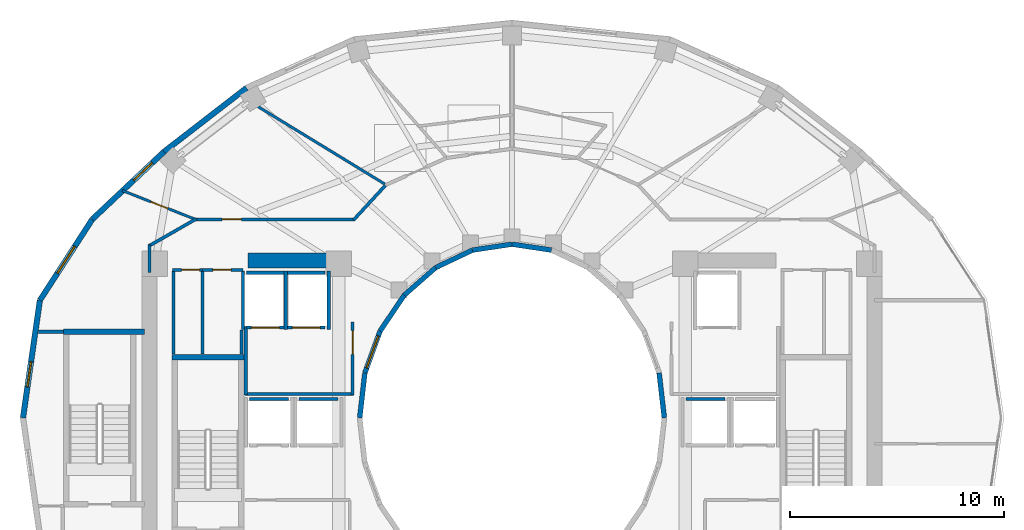
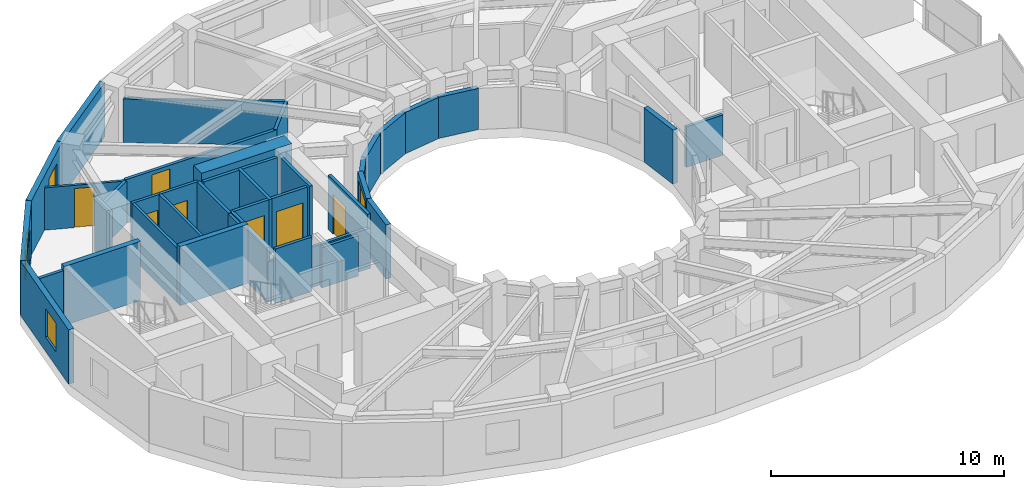
# One storey, part 7 of 13: 40 walls, 7 doors, 4 windows, 11 openings.
"""IFC4 building model written with IfcOpenShell, lengths in metres."""

from ifc_helpers import new_model, si_unit, direction, frame, frame_2d, origin, place, context, subcontext, project, spatial, rectangle, extrude, material, layer, layer_set, type_object, element, fill, save


model = new_model("IFC4")

# Units and contexts
model_context = context("Model", 3, precision=1e-05, world=origin(), true_north=direction((0.0, 1.0)))
body_context = subcontext(model_context, "Body", "Model", "MODEL_VIEW")
ifc_project = project(units=[si_unit("LENGTHUNIT", "METRE"), si_unit("AREAUNIT", "SQUARE_METRE"), si_unit("VOLUMEUNIT", "CUBIC_METRE"), si_unit("PLANEANGLEUNIT", "RADIAN"), si_unit("MASSUNIT", "GRAM", prefix="KILO")], contexts=[model_context])

# Site, building, storey
site_placement = place(None, origin())
site = spatial("IfcSite", under=ifc_project, at=site_placement, CompositionType="ELEMENT")
building_placement = place(site_placement, origin())
building = spatial("IfcBuilding", under=site, at=building_placement, Name="Solvane Sanctuary Tower", CompositionType="ELEMENT")
storey_placement = place(building_placement, frame((0.0, 0.0, 152.89990234375)))
storey = spatial("IfcBuildingStorey", under=building, at=storey_placement, Name="L46", CompositionType="ELEMENT", Elevation=152.89990234375)

# Walls
ifc_material_1 = material(Name="Concrete C60/75", Category="concrete")
ifc_layer_1 = layer(ifc_material_1, 0.699951171875, Name="Concrete C60/75")
ifc_layer_set_1 = layer_set([ifc_layer_1], Name="Concrete C60/75")
wall_type_1 = type_object("IfcWallType", Name="Wall W-CORE-700", PredefinedType="SHEAR", material=ifc_layer_set_1)
wall_1_placement = place(storey_placement, frame((19.64990234375, 30.35009765625, 0.0), z_axis=(0.0, 0.0, 1.0), x_axis=(1.0, 0.0, 0.0)))
element("IfcWall", 1, at=wall_1_placement, inside=storey, type_object=wall_type_1, Name="L46 Core Shear Wall WC-N", PredefinedType="SHEAR", context=body_context, shape_type="SweptSolid", body=[
    extrude(rectangle(XDim=4.5, YDim=0.699951171875, at=frame_2d((2.25, 0.0))), origin(), (0.0, 0.0, 1.0), 3.10009765625),
])
ifc_material_2 = material(Name="Acoustic Gypsum Partition Board")
ifc_layer_2 = layer(ifc_material_2, 0.14990234375, Name="Acoustic Gypsum Partition Board")
ifc_layer_set_2 = layer_set([ifc_layer_2], Name="Acoustic Gypsum Partition Board")
wall_type_2 = type_object("IfcWallType", Name="Wall W-CORR-150", PredefinedType="PARTITIONING", material=ifc_layer_set_2)
wall_2_placement = place(storey_placement, frame((19.52001953125, 24.1201171875, 0.0), z_axis=(0.0, 0.0, 1.0), x_axis=(1.0, 0.0, 0.0)))
element("IfcWall", 2, at=wall_2_placement, inside=storey, type_object=wall_type_2, Name="L46 West Firefighting Lobby South Wall", PredefinedType="PARTITIONING", context=body_context, shape_type="SweptSolid", body=[
    extrude(rectangle(XDim=5.080078125, YDim=0.14990234375, at=frame_2d((2.5400390625, 0.0))), origin(), (0.0, 0.0, 1.0), 2.1201171875),
])
wall_3_placement = place(storey_placement, frame((19.550048828125, 24.080078125, 0.0), z_axis=(0.0, 0.0, 1.0), x_axis=(0.0, 1.0, 0.0)))
element("IfcWall", 3, at=wall_3_placement, inside=storey, type_object=wall_type_2, Name="L46 West Firefighting Lobby West Wall", PredefinedType="PARTITIONING", context=body_context, shape_type="SweptSolid", body=[
    extrude(rectangle(XDim=3.199951171875, YDim=0.14990234375, at=frame_2d((1.60009765625, 0.0))), origin(), (0.0, 0.0, 1.0), 2.85498046875),
])

# Wall, opening, door
wall_4_placement = place(storey_placement, frame((24.550048828125, 24.080078125, 0.0), z_axis=(0.0, 0.0, 1.0), x_axis=(0.0, 1.0, 0.0)))
wall_4 = element("IfcWall", 4, at=wall_4_placement, inside=storey, type_object=wall_type_2, Name="L46 West Firefighting Lobby East Wall", PredefinedType="PARTITIONING", context=body_context, shape_type="SweptSolid", body=[
    extrude(rectangle(XDim=3.39990234375, YDim=0.14990234375, at=frame_2d((1.699951171875, 0.0))), origin(), (0.0, 0.0, 1.0), 2.85498046875),
])
opening_1_placement = place(wall_4_placement, frame((1.893798828125, 0.0, 0.0)))
opening_1 = element("IfcOpeningElement", 5, at=opening_1_placement, cuts=wall_4, Name="Opening D-L46-04", PredefinedType="OPENING", context=body_context, shape_type="SweptSolid", body=[
    extrude(rectangle(XDim=1.10009765625, YDim=2.10009765625, at=frame_2d((0.550048828125, 1.050048828125))), frame((0.0, 0.0849609375, 0.0), z_axis=(0.0, -1.0, 0.0), x_axis=(1.0, 0.0, 0.0)), (0.0, 0.0, 1.0), 0.169921875),
])
ifc_material_3 = material(Name="Architectural Stainless Steel 316", Category="steel")
door_type_1 = type_object("IfcDoorType", Name="Door D-FFL", OperationType="NOTDEFINED", PredefinedType="DOOR", material=ifc_material_3)
door_1_placement = place(opening_1_placement, origin())
door_1 = element("IfcDoor", 6, at=door_1_placement, inside=storey, type_object=door_type_1, Name="L46 West Firefighting Lobby Fire Door", OperationType="SINGLE_SWING_RIGHT", OverallHeight=2.10009765625, OverallWidth=1.10009765625, PredefinedType="DOOR", context=body_context, shape_type="SweptSolid", body=[
    extrude(rectangle(XDim=1.10009765625, YDim=2.10009765625, at=frame_2d((0.550048828125, 1.050048828125))), frame((0.0, 0.02490234375, 0.0), z_axis=(0.0, -1.0, 0.0), x_axis=(1.0, 0.0, 0.0)), (0.0, 0.0, 1.0), 0.050048828125),
])
fill(opening_1, door_1)

# Walls
wall_5_placement = place(storey_placement, frame((9.869873046875, 27.030029296875, 0.0), z_axis=(0.0, 0.0, 1.0), x_axis=(1.0, 0.0, 0.0)))
element("IfcWall", 7, at=wall_5_placement, inside=storey, type_object=wall_type_2, Name="L46 NW Corner Closer 1", PredefinedType="PARTITIONING", context=body_context, shape_type="SweptSolid", body=[
    extrude(rectangle(XDim=1.170166015625, YDim=0.14990234375, at=frame_2d((0.5849609375, 0.0))), origin(), (0.0, 0.0, 1.0), 2.85498046875),
])
wall_6_placement = place(storey_placement, frame((15.050048828125, 29.800048828125, 0.0), z_axis=(0.0, 0.0, 1.0), x_axis=(0.0, 1.0, 0.0)))
element("IfcWall", 8, at=wall_6_placement, inside=storey, type_object=wall_type_2, Name="L46 NW Corner Closer 2", PredefinedType="PARTITIONING", context=body_context, shape_type="SweptSolid", body=[
    extrude(rectangle(XDim=1.2900390625, YDim=0.14990234375, at=frame_2d((0.64501953125, 0.0))), origin(), (0.0, 0.0, 1.0), 2.85498046875),
])
wall_7_placement = place(storey_placement, frame((26.07177734375, 33.855712890625, 0.0), z_axis=(0.0, 0.0, 1.0), x_axis=(-0.677579737957, -0.735449317567, 0.0)))
element("IfcWall", 9, at=wall_7_placement, inside=storey, type_object=wall_type_2, Name="L46 NW Corner Throat Wall", PredefinedType="PARTITIONING", context=body_context, shape_type="SweptSolid", body=[
    extrude(rectangle(XDim=2.172607421875, YDim=0.14990234375, at=frame_2d((1.08642578125, 0.0))), origin(), (0.0, 0.0, 1.0), 2.299072265625),
])

# Wall, opening, door
wall_8_placement = place(storey_placement, frame((17.14990234375, 32.280029296875, 0.0), z_axis=(0.0, 0.0, 1.0), x_axis=(1.0, 0.0, 0.0)))
wall_8 = element("IfcWall", 10, at=wall_8_placement, inside=storey, type_object=wall_type_2, Name="L46 NW Corner Corridor Wall", PredefinedType="PARTITIONING", context=body_context, shape_type="SweptSolid", body=[
    extrude(rectangle(XDim=7.52001953125, YDim=0.14990234375, at=frame_2d((3.760009765625, 0.0))), origin(), (0.0, 0.0, 1.0), 2.299072265625),
])
opening_2_placement = place(wall_8_placement, frame((1.300048828125, 0.0, 0.0)))
opening_2 = element("IfcOpeningElement", 11, at=opening_2_placement, cuts=wall_8, Name="Opening D-L46-17", PredefinedType="OPENING", context=body_context, shape_type="SweptSolid", body=[
    extrude(rectangle(XDim=0.89990234375, YDim=2.10009765625, at=frame_2d((0.449951171875, 1.050048828125))), frame((0.0, 0.0849609375, 0.0), z_axis=(0.0, -1.0, 0.0), x_axis=(1.0, 0.0, 0.0)), (0.0, 0.0, 1.0), 0.169921875),
])
ifc_material_4 = material(Name="Engineered Tropical Hardwood", Category="wood")
door_type_2 = type_object("IfcDoorType", Name="Door D-WET-900", OperationType="NOTDEFINED", PredefinedType="DOOR", material=ifc_material_4)
door_2_placement = place(opening_2_placement, origin())
door_2 = element("IfcDoor", 12, at=door_2_placement, inside=storey, type_object=door_type_2, Name="L46 NW Corner Salon Door", OperationType="SINGLE_SWING_LEFT", OverallHeight=2.10009765625, OverallWidth=0.89990234375, PredefinedType="DOOR", context=body_context, shape_type="SweptSolid", body=[
    extrude(rectangle(XDim=0.89990234375, YDim=2.10009765625, at=frame_2d((0.449951171875, 1.050048828125))), frame((0.0, 0.02490234375, 0.0), z_axis=(0.0, -1.0, 0.0), x_axis=(1.0, 0.0, 0.0)), (0.0, 0.0, 1.0), 0.050048828125),
])
fill(opening_2, door_2)

# Walls
wall_9_placement = place(storey_placement, frame((17.243408203125, 32.3046875, 0.0), z_axis=(0.0, 0.0, 1.0), x_axis=(-0.867991349648, -0.496579315857, 0.0)))
element("IfcWall", 13, at=wall_9_placement, inside=storey, type_object=wall_type_2, Name="L46 NW Corner Wing Wall", PredefinedType="PARTITIONING", context=body_context, shape_type="SweptSolid", body=[
    extrude(rectangle(XDim=2.56689453125, YDim=0.14990234375, at=frame_2d((1.283447265625, 0.0))), origin(), (0.0, 0.0, 1.0), 2.22021484375),
])
ifc_material_5 = material(Name="Precast concrete C40/50", Category="concrete")
ifc_layer_3 = layer(ifc_material_5, 0.260009765625, Name="Precast concrete C40/50")
ifc_layer_set_3 = layer_set([ifc_layer_3], Name="Precast concrete C40/50")
wall_type_3 = type_object("IfcWallType", Name="Wall W-EXT-250", PredefinedType="STANDARD", material=ifc_layer_set_3)
wall_10_placement = place(storey_placement, frame((19.5869140625, 38.41943359375, 0.0), z_axis=(0.0, 0.0, 1.0), x_axis=(-0.791460185804, -0.611220724687, 0.0)))
element("IfcWall", 14, at=wall_10_placement, inside=storey, type_object=wall_type_3, Name="L46 Ceramic-Printed Facade Wall 08", PredefinedType="STANDARD", context=body_context, shape_type="SweptSolid", body=[
    extrude(rectangle(XDim=4.872314453125, YDim=0.260009765625, at=frame_2d((2.43603515625, 0.0))), origin(), (0.0, 0.0, 1.0), 2.85009765625),
])

# Wall, opening, window
wall_11_placement = place(storey_placement, frame((15.730712890625, 35.44140625, 0.0), z_axis=(0.0, 0.0, 1.0), x_axis=(-0.727667301037, -0.68593024354, 0.0)))
wall_11 = element("IfcWall", 15, at=wall_11_placement, inside=storey, type_object=wall_type_3, Name="L46 Ceramic-Printed Facade Wall 09", PredefinedType="STANDARD", context=body_context, shape_type="SweptSolid", body=[
    extrude(rectangle(XDim=4.603515625, YDim=0.260009765625, at=frame_2d((2.3017578125, 0.0))), origin(), (0.0, 0.0, 1.0), 2.85009765625),
])
opening_3_placement = place(wall_11_placement, frame((0.75146484375, 0.0, 0.75)))
opening_3 = element("IfcOpeningElement", 16, at=opening_3_placement, cuts=wall_11, Name="Opening WN-OPER-1200", PredefinedType="OPENING", context=body_context, shape_type="SweptSolid", body=[
    extrude(rectangle(XDim=1.199951171875, YDim=1.5, at=frame_2d((0.60009765625, 0.75))), frame((0.0, 0.139892578125, 0.0), z_axis=(0.0, -1.0, 0.0), x_axis=(1.0, 0.0, 0.0)), (0.0, 0.0, 1.0), 0.280029296875),
])
ifc_material_6 = material(Name="Dark Ceramic-Fritted Low-E Glass", Category="glass")
window_type_1 = type_object("IfcWindowType", Name="Window WN-OPER-1200", PartitioningType="SINGLE_PANEL", PredefinedType="WINDOW", material=ifc_material_6)
window_1_placement = place(opening_3_placement, origin())
window_1 = element("IfcWindow", 17, at=window_1_placement, inside=storey, type_object=window_type_1, Name="L46 Operable Facade Window 09", OverallHeight=1.5, OverallWidth=1.199951171875, PartitioningType="SINGLE_PANEL", PredefinedType="WINDOW", context=body_context, shape_type="SweptSolid", body=[
    extrude(rectangle(XDim=1.199951171875, YDim=1.5, at=frame_2d((0.60009765625, 0.75))), frame((0.0, 0.030029296875, 0.0), z_axis=(0.0, -1.0, 0.0), x_axis=(1.0, 0.0, 0.0)), (0.0, 0.0, 1.0), 0.06005859375),
])
fill(opening_3, window_1)

wall_12_placement = place(storey_placement, frame((12.380859375, 32.28369140625, 0.0), z_axis=(0.0, 0.0, 1.0), x_axis=(-0.543358984534, -0.839500454989, 0.0)))
wall_12 = element("IfcWall", 18, at=wall_12_placement, inside=storey, type_object=wall_type_3, Name="L46 Ceramic-Printed Facade Wall 10", PredefinedType="STANDARD", context=body_context, shape_type="SweptSolid", body=[
    extrude(rectangle(XDim=4.51123046875, YDim=0.260009765625, at=frame_2d((2.255615234375, 0.0))), origin(), (0.0, 0.0, 1.0), 2.85009765625),
])
opening_4_placement = place(wall_12_placement, frame((1.505615234375, 0.0, 0.75)))
opening_4 = element("IfcOpeningElement", 19, at=opening_4_placement, cuts=wall_12, Name="Opening WN-OPER-1500", PredefinedType="OPENING", context=body_context, shape_type="SweptSolid", body=[
    extrude(rectangle(XDim=1.5, YDim=1.60009765625, at=frame_2d((0.75, 0.800048828125))), frame((0.0, 0.139892578125, 0.0), z_axis=(0.0, -1.0, 0.0), x_axis=(1.0, 0.0, 0.0)), (0.0, 0.0, 1.0), 0.280029296875),
])
window_type_2 = type_object("IfcWindowType", Name="Window WN-OPER-1500", PartitioningType="SINGLE_PANEL", PredefinedType="WINDOW", material=ifc_material_6)
window_2_placement = place(opening_4_placement, origin())
window_2 = element("IfcWindow", 20, at=window_2_placement, inside=storey, type_object=window_type_2, Name="L46 Operable Facade Window 10", OverallHeight=1.60009765625, OverallWidth=1.5, PartitioningType="SINGLE_PANEL", PredefinedType="WINDOW", context=body_context, shape_type="SweptSolid", body=[
    extrude(rectangle(XDim=1.5, YDim=1.60009765625, at=frame_2d((0.75, 0.800048828125))), frame((0.0, 0.030029296875, 0.0), z_axis=(0.0, -1.0, 0.0), x_axis=(1.0, 0.0, 0.0)), (0.0, 0.0, 1.0), 0.06005859375),
])
fill(opening_4, window_2)

wall_13_placement = place(storey_placement, frame((9.9296875, 28.49658203125, 0.0), z_axis=(0.0, 0.0, 1.0), x_axis=(-0.142227632286, -0.989833976288, 0.0)))
wall_13 = element("IfcWall", 21, at=wall_13_placement, inside=storey, type_object=wall_type_3, Name="L46 Ceramic-Printed Facade Wall 11", PredefinedType="STANDARD", context=body_context, shape_type="SweptSolid", body=[
    extrude(rectangle(XDim=5.552978515625, YDim=0.260009765625, at=frame_2d((2.7763671875, 0.0))), origin(), (0.0, 0.0, 1.0), 2.85009765625),
])
opening_5_placement = place(wall_13_placement, frame((2.892333984375, 0.0, 0.75)))
opening_5 = element("IfcOpeningElement", 22, at=opening_5_placement, cuts=wall_13, Name="Opening WN-OPER-1200", PredefinedType="OPENING", context=body_context, shape_type="SweptSolid", body=[
    extrude(rectangle(XDim=1.199951171875, YDim=1.5, at=frame_2d((0.60009765625, 0.75))), frame((0.0, 0.139892578125, 0.0), z_axis=(0.0, -1.0, 0.0), x_axis=(1.0, 0.0, 0.0)), (0.0, 0.0, 1.0), 0.280029296875),
])
window_3_placement = place(opening_5_placement, origin())
window_3 = element("IfcWindow", 23, at=window_3_placement, inside=storey, type_object=window_type_1, Name="L46 Operable Facade Window 11", OverallHeight=1.5, OverallWidth=1.199951171875, PartitioningType="SINGLE_PANEL", PredefinedType="WINDOW", context=body_context, shape_type="SweptSolid", body=[
    extrude(rectangle(XDim=1.199951171875, YDim=1.5, at=frame_2d((0.60009765625, 0.75))), frame((0.0, 0.030029296875, 0.0), z_axis=(0.0, -1.0, 0.0), x_axis=(1.0, 0.0, 0.0)), (0.0, 0.0, 1.0), 0.06005859375),
])
fill(opening_5, window_3)

# Walls
ifc_layer_4 = layer(ifc_material_5, 0.22998046875, Name="Precast concrete C40/50")
ifc_layer_set_4 = layer_set([ifc_layer_4], Name="Precast concrete C40/50")
wall_type_4 = type_object("IfcWallType", Name="Wall W-EXT-SP220", PredefinedType="STANDARD", material=ifc_layer_set_4)
wall_14_placement = place(storey_placement, frame((39.1201171875, 23.0, 0.0), z_axis=(0.0, 0.0, 1.0), x_axis=(-0.114711713601, 0.993398823617, 0.0)))
element("IfcWall", 24, at=wall_14_placement, inside=storey, type_object=wall_type_4, Name="L46 Central Light-Well Wall 00", PredefinedType="STANDARD", context=body_context, shape_type="SweptSolid", body=[
    extrude(rectangle(XDim=2.115478515625, YDim=0.22998046875, at=frame_2d((1.0576171875, 0.0))), origin(), (0.0, 0.0, 1.0), 2.840087890625),
])
for number, where, z_axis, x_axis, name in (
    (25, (33.8427734375, 30.84326171875, 0.0), (0.0, 0.0, 1.0), (-0.988901730308, 0.148571086668, 0.0), "L46 Central Light-Well Wall 05"),
    (26, (32.0, 31.1201171875, 0.0), (0.0, 0.0, 1.0), (-0.988901730308, -0.148571086668, 0.0), "L46 Central Light-Well Wall 06"),
):
    element("IfcWall", number, at=place(storey_placement, frame(where, z_axis=z_axis, x_axis=x_axis)), inside=storey, type_object=wall_type_4, Name=name, PredefinedType="STANDARD", context=body_context, shape_type="SweptSolid", body=[
        extrude(rectangle(XDim=1.863525390625, YDim=0.22998046875, at=frame_2d((0.931640625, 0.0))), origin(), (0.0, 0.0, 1.0), 2.16015625),
    ])
wall_15_placement = place(storey_placement, frame((30.1572265625, 30.84326171875, 0.0), z_axis=(0.0, 0.0, 1.0), x_axis=(-0.904179699603, -0.427152280606, 0.0)))
element("IfcWall", 27, at=wall_15_placement, inside=storey, type_object=wall_type_4, Name="L46 Central Light-Well Wall 07", PredefinedType="STANDARD", context=body_context, shape_type="SweptSolid", body=[
    extrude(rectangle(XDim=1.899169921875, YDim=0.22998046875, at=frame_2d((0.94970703125, 0.0))), origin(), (0.0, 0.0, 1.0), 2.16015625),
])
wall_16_placement = place(storey_placement, frame((28.43994140625, 30.031982421875, 0.0), z_axis=(0.0, 0.0, 1.0), x_axis=(-0.752576694707, -0.658504607869, 0.0)))
element("IfcWall", 28, at=wall_16_placement, inside=storey, type_object=wall_type_4, Name="L46 Central Light-Well Wall 08", PredefinedType="STANDARD", context=body_context, shape_type="SweptSolid", body=[
    extrude(rectangle(XDim=1.95947265625, YDim=0.22998046875, at=frame_2d((0.979736328125, 0.0))), origin(), (0.0, 0.0, 1.0), 2.16015625),
])
wall_17_placement = place(storey_placement, frame((26.96533203125, 28.74169921875, 0.0), z_axis=(0.0, 0.0, 1.0), x_axis=(-0.558197800898, -0.829707909492, 0.0)))
element("IfcWall", 29, at=wall_17_placement, inside=storey, type_object=wall_type_4, Name="L46 Central Light-Well Wall 09", PredefinedType="STANDARD", context=body_context, shape_type="SweptSolid", body=[
    extrude(rectangle(XDim=2.02685546875, YDim=0.22998046875, at=frame_2d((1.013427734375, 0.0))), origin(), (0.0, 0.0, 1.0), 2.16015625),
])

# Wall, opening, window
wall_18_placement = place(storey_placement, frame((25.833984375, 27.06005859375, 0.0), z_axis=(0.0, 0.0, 1.0), x_axis=(-0.341423187295, -0.93990968033, 0.0)))
wall_18 = element("IfcWall", 30, at=wall_18_placement, inside=storey, type_object=wall_type_4, Name="L46 Central Light-Well Wall 10", PredefinedType="STANDARD", context=body_context, shape_type="SweptSolid", body=[
    extrude(rectangle(XDim=2.083740234375, YDim=0.22998046875, at=frame_2d((1.0419921875, 0.0))), origin(), (0.0, 0.0, 1.0), 2.840087890625),
])
opening_6_placement = place(wall_18_placement, frame((0.24169921875, 0.0, 0.85009765625)))
opening_6 = element("IfcOpeningElement", 31, at=opening_6_placement, cuts=wall_18, Name="Opening WN-WELL-1600", PredefinedType="OPENING", context=body_context, shape_type="SweptSolid", body=[
    extrude(rectangle(XDim=1.60009765625, YDim=1.64990234375, at=frame_2d((0.800048828125, 0.824951171875))), frame((0.0, 0.125, 0.0), z_axis=(0.0, -1.0, 0.0), x_axis=(1.0, 0.0, 0.0)), (0.0, 0.0, 1.0), 0.25),
])
ifc_material_7 = material(Name="Clear Laminated Light-Well Glass", Category="glass")
window_type_3 = type_object("IfcWindowType", Name="Window WN-WELL-1600", PartitioningType="SINGLE_PANEL", PredefinedType="WINDOW", material=ifc_material_7)
window_4_placement = place(opening_6_placement, origin())
window_4 = element("IfcWindow", 32, at=window_4_placement, inside=storey, type_object=window_type_3, Name="L46 Light-Well Daylight Window 10", OverallHeight=1.64990234375, OverallWidth=1.60009765625, PartitioningType="SINGLE_PANEL", PredefinedType="WINDOW", context=body_context, shape_type="SweptSolid", body=[
    extrude(rectangle(XDim=1.60009765625, YDim=1.64990234375, at=frame_2d((0.800048828125, 0.824951171875))), frame((0.0, 0.030029296875, 0.0), z_axis=(0.0, -1.0, 0.0), x_axis=(1.0, 0.0, 0.0)), (0.0, 0.0, 1.0), 0.06005859375),
])
fill(opening_6, window_4)

# Wall
wall_19_placement = place(storey_placement, frame((25.12255859375, 25.1015625, 0.0), z_axis=(0.0, 0.0, 1.0), x_axis=(-0.114711713601, -0.993398823617, 0.0)))
element("IfcWall", 33, at=wall_19_placement, inside=storey, type_object=wall_type_4, Name="L46 Central Light-Well Wall 11", PredefinedType="STANDARD", context=body_context, shape_type="SweptSolid", body=[
    extrude(rectangle(XDim=2.115478515625, YDim=0.22998046875, at=frame_2d((1.0576171875, 0.0))), origin(), (0.0, 0.0, 1.0), 2.840087890625),
])

# Wall, opening, door
ifc_layer_5 = layer(ifc_material_2, 0.1201171875, Name="Acoustic Gypsum Partition Board")
ifc_layer_set_5 = layer_set([ifc_layer_5], Name="Acoustic Gypsum Partition Board")
wall_type_5 = type_object("IfcWallType", Name="Wall W-MOV-100", PredefinedType="MOVABLE", material=ifc_layer_set_5)
wall_20_placement = place(storey_placement, frame((17.24658203125, 32.26171875, 0.0), z_axis=(0.0, 0.0, 1.0), x_axis=(-0.930204027108, 0.367042869367, 0.0)))
wall_20 = element("IfcWall", 34, at=wall_20_placement, inside=storey, type_object=wall_type_5, Name="L46 NW Corner Suite Partition", PredefinedType="MOVABLE", context=body_context, shape_type="SweptSolid", body=[
    extrude(rectangle(XDim=3.73095703125, YDim=0.1201171875, at=frame_2d((1.865478515625, 0.0))), origin(), (0.0, 0.0, 1.0), 2.22021484375),
])
opening_7_placement = place(wall_20_placement, frame((1.4404296875, 0.0, 0.0)))
opening_7 = element("IfcOpeningElement", 35, at=opening_7_placement, cuts=wall_20, Name="Opening D-L46-16", PredefinedType="OPENING", context=body_context, shape_type="SweptSolid", body=[
    extrude(rectangle(XDim=0.85009765625, YDim=2.050048828125, at=frame_2d((0.425048828125, 1.02490234375))), frame((0.0, 0.070068359375, 0.0), z_axis=(0.0, -1.0, 0.0), x_axis=(1.0, 0.0, 0.0)), (0.0, 0.0, 1.0), 0.14013671875),
])
door_type_3 = type_object("IfcDoorType", Name="Door D-RISER", OperationType="NOTDEFINED", PredefinedType="DOOR", material=ifc_material_3)
door_3_placement = place(opening_7_placement, origin())
door_3 = element("IfcDoor", 36, at=door_3_placement, inside=storey, type_object=door_type_3, Name="L46 NW Corner Suite Door", OperationType="SINGLE_SWING_RIGHT", OverallHeight=2.050048828125, OverallWidth=0.85009765625, PredefinedType="DOOR", context=body_context, shape_type="SweptSolid", body=[
    extrude(rectangle(XDim=0.85009765625, YDim=2.050048828125, at=frame_2d((0.425048828125, 1.02490234375))), frame((0.0, 0.02490234375, 0.0), z_axis=(0.0, -1.0, 0.0), x_axis=(1.0, 0.0, 0.0)), (0.0, 0.0, 1.0), 0.050048828125),
])
fill(opening_7, door_3)

# Walls
ifc_layer_6 = layer(ifc_material_2, 0.125, Name="Acoustic Gypsum Partition Board")
ifc_layer_set_6 = layer_set([ifc_layer_6], Name="Acoustic Gypsum Partition Board")
wall_type_6 = type_object("IfcWallType", Name="Wall W-PART-125", PredefinedType="PARTITIONING", material=ifc_layer_set_6)
wall_21_placement = place(storey_placement, frame((26.06201171875, 33.925048828125, 0.0), z_axis=(0.0, 0.0, 1.0), x_axis=(-0.853440334679, 0.521190555501, 0.0)))
element("IfcWall", 37, at=wall_21_placement, inside=storey, type_object=wall_type_6, Name="L46 Radial Compartment Wall 120", PredefinedType="PARTITIONING", context=body_context, shape_type="SweptSolid", body=[
    extrude(rectangle(XDim=6.966064453125, YDim=0.125, at=frame_2d((3.48291015625, 0.0))), origin(), (0.0, 0.0, 1.0), 2.299072265625),
])
ifc_material_8 = material(Name="Concrete C50/60", Category="concrete")
ifc_layer_7 = layer(ifc_material_8, 0.14990234375, Name="Concrete C50/60")
ifc_layer_set_7 = layer_set([ifc_layer_7], Name="Concrete C50/60")
wall_type_7 = type_object("IfcWallType", Name="Wall W-SHAFT-150", PredefinedType="SOLIDWALL", material=ifc_layer_set_7)
wall_22_placement = place(storey_placement, frame((19.739990234375, 23.8798828125, 0.0), z_axis=(0.0, 0.0, 1.0), x_axis=(1.0, 0.0, 0.0)))
element("IfcWall", 38, at=wall_22_placement, inside=storey, type_object=wall_type_7, Name="L46 PM-1 Lift Shaft Wall B", PredefinedType="SOLIDWALL", context=body_context, shape_type="SweptSolid", body=[
    extrude(rectangle(XDim=1.820068359375, YDim=0.14990234375, at=frame_2d((0.91015625, 0.0))), origin(), (0.0, 0.0, 1.0), 2.85498046875),
])
for number, where, z_axis, x_axis, name in (
    (39, (22.0400390625, 23.8798828125, 0.0), (0.0, 0.0, 1.0), (1.0, 0.0, 0.0), "L46 PH-1 Lift Shaft Wall B"),
    (40, (40.139892578125, 23.8798828125, 0.0), (0.0, 0.0, 1.0), (1.0, 0.0, 0.0), "L46 PH-2 Lift Shaft Wall B"),
):
    element("IfcWall", number, at=place(storey_placement, frame(where, z_axis=z_axis, x_axis=x_axis)), inside=storey, type_object=wall_type_7, Name=name, PredefinedType="SOLIDWALL", context=body_context, shape_type="SweptSolid", body=[
        extrude(rectangle(XDim=1.820068359375, YDim=0.14990234375, at=frame_2d((0.91015625, 0.0))), origin(), (0.0, 0.0, 1.0), 2.1201171875),
    ])

# Wall, opening, door
wall_23_placement = place(storey_placement, frame((19.590087890625, 27.219970703125, 0.0), z_axis=(0.0, 0.0, 1.0), x_axis=(1.0, 0.0, 0.0)))
wall_23 = element("IfcWall", 41, at=wall_23_placement, inside=storey, type_object=wall_type_7, Name="L46 FFL-1 Lift Shaft Wall F", PredefinedType="SOLIDWALL", context=body_context, shape_type="SweptSolid", body=[
    extrude(rectangle(XDim=1.760009765625, YDim=0.14990234375, at=frame_2d((0.8798828125, 0.0))), origin(), (0.0, 0.0, 1.0), 2.85498046875),
])
opening_8_placement = place(wall_23_placement, frame((0.22998046875, 0.0, 0.0)))
opening_8 = element("IfcOpeningElement", 42, at=opening_8_placement, cuts=wall_23, Name="Opening LD-L46-03", PredefinedType="OPENING", context=body_context, shape_type="SweptSolid", body=[
    extrude(rectangle(XDim=1.300048828125, YDim=2.10009765625, at=frame_2d((0.64990234375, 1.050048828125))), frame((0.0, 0.0849609375, 0.0), z_axis=(0.0, -1.0, 0.0), x_axis=(1.0, 0.0, 0.0)), (0.0, 0.0, 1.0), 0.169921875),
])
door_type_4 = type_object("IfcDoorType", Name="Door LD-FFL-1300", OperationType="NOTDEFINED", PredefinedType="DOOR", material=ifc_material_3)
door_4_placement = place(opening_8_placement, origin())
door_4 = element("IfcDoor", 43, at=door_4_placement, inside=storey, type_object=door_type_4, Name="L46 FFL-1 Lift Landing Door", OperationType="DOUBLE_DOOR_SLIDING", OverallHeight=2.10009765625, OverallWidth=1.300048828125, PredefinedType="DOOR", context=body_context, shape_type="SweptSolid", body=[
    extrude(rectangle(XDim=1.300048828125, YDim=2.10009765625, at=frame_2d((0.64990234375, 1.050048828125))), frame((0.0, 0.02490234375, 0.0), z_axis=(0.0, -1.0, 0.0), x_axis=(1.0, 0.0, 0.0)), (0.0, 0.0, 1.0), 0.050048828125),
])
fill(opening_8, door_4)

# Walls
wall_24_placement = place(storey_placement, frame((19.590087890625, 29.780029296875, 0.0), z_axis=(0.0, 0.0, 1.0), x_axis=(1.0, 0.0, 0.0)))
element("IfcWall", 44, at=wall_24_placement, inside=storey, type_object=wall_type_7, Name="L46 FFL-1 Lift Shaft Wall B", PredefinedType="SOLIDWALL", context=body_context, shape_type="SweptSolid", body=[
    extrude(rectangle(XDim=1.760009765625, YDim=0.14990234375, at=frame_2d((0.8798828125, 0.0))), origin(), (0.0, 0.0, 1.0), 2.85498046875),
])
for number, where, z_axis, x_axis, name in (
    (45, (19.419921875, 27.139892578125, 0.0), (0.0, 0.0, 1.0), (0.0, 1.0, 0.0), "L46 FFL-1 Lift Shaft Wall S1"),
    (46, (21.425048828125, 27.139892578125, 0.0), (0.0, 0.0, 1.0), (0.0, 1.0, 0.0), "L46 FFL-1 Lift Shaft Wall S2"),
):
    element("IfcWall", number, at=place(storey_placement, frame(where, z_axis=z_axis, x_axis=x_axis)), inside=storey, type_object=wall_type_7, Name=name, PredefinedType="SOLIDWALL", context=body_context, shape_type="SweptSolid", body=[
        extrude(rectangle(XDim=2.72021484375, YDim=0.14990234375, at=frame_2d((1.360107421875, 0.0))), origin(), (0.0, 0.0, 1.0), 2.85498046875),
    ])

# Wall, opening, door
wall_25_placement = place(storey_placement, frame((21.5, 27.219970703125, 0.0), z_axis=(0.0, 0.0, 1.0), x_axis=(1.0, 0.0, 0.0)))
wall_25 = element("IfcWall", 47, at=wall_25_placement, inside=storey, type_object=wall_type_7, Name="L46 SVL-1 Lift Shaft Wall F", PredefinedType="SOLIDWALL", context=body_context, shape_type="SweptSolid", body=[
    extrude(rectangle(XDim=1.760009765625, YDim=0.14990234375, at=frame_2d((0.8798828125, 0.0))), origin(), (0.0, 0.0, 1.0), 2.85498046875),
])
opening_9_placement = place(wall_25_placement, frame((0.22998046875, 0.0, 0.0)))
opening_9 = element("IfcOpeningElement", 48, at=opening_9_placement, cuts=wall_25, Name="Opening LD-L46-04", PredefinedType="OPENING", context=body_context, shape_type="SweptSolid", body=[
    extrude(rectangle(XDim=1.300048828125, YDim=2.10009765625, at=frame_2d((0.64990234375, 1.050048828125))), frame((0.0, 0.0849609375, 0.0), z_axis=(0.0, -1.0, 0.0), x_axis=(1.0, 0.0, 0.0)), (0.0, 0.0, 1.0), 0.169921875),
])
door_5_placement = place(opening_9_placement, origin())
door_5 = element("IfcDoor", 49, at=door_5_placement, inside=storey, type_object=door_type_4, Name="L46 SVL-1 Lift Landing Door", OperationType="DOUBLE_DOOR_SLIDING", OverallHeight=2.10009765625, OverallWidth=1.300048828125, PredefinedType="DOOR", context=body_context, shape_type="SweptSolid", body=[
    extrude(rectangle(XDim=1.300048828125, YDim=2.10009765625, at=frame_2d((0.64990234375, 1.050048828125))), frame((0.0, 0.02490234375, 0.0), z_axis=(0.0, -1.0, 0.0), x_axis=(1.0, 0.0, 0.0)), (0.0, 0.0, 1.0), 0.050048828125),
])
fill(opening_9, door_5)

# Walls
wall_26_placement = place(storey_placement, frame((21.5, 29.780029296875, 0.0), z_axis=(0.0, 0.0, 1.0), x_axis=(1.0, 0.0, 0.0)))
element("IfcWall", 50, at=wall_26_placement, inside=storey, type_object=wall_type_7, Name="L46 SVL-1 Lift Shaft Wall B", PredefinedType="SOLIDWALL", context=body_context, shape_type="SweptSolid", body=[
    extrude(rectangle(XDim=1.760009765625, YDim=0.14990234375, at=frame_2d((0.8798828125, 0.0))), origin(), (0.0, 0.0, 1.0), 2.85498046875),
])
wall_27_placement = place(storey_placement, frame((23.429931640625, 27.139892578125, 0.0), z_axis=(0.0, 0.0, 1.0), x_axis=(0.0, 1.0, 0.0)))
element("IfcWall", 51, at=wall_27_placement, inside=storey, type_object=wall_type_7, Name="L46 SVL-1 Lift Shaft Wall S2", PredefinedType="SOLIDWALL", context=body_context, shape_type="SweptSolid", body=[
    extrude(rectangle(XDim=2.72021484375, YDim=0.14990234375, at=frame_2d((1.360107421875, 0.0))), origin(), (0.0, 0.0, 1.0), 2.85498046875),
])
ifc_layer_8 = layer(ifc_material_8, 0.25, Name="Concrete C50/60")
ifc_layer_set_8 = layer_set([ifc_layer_8], Name="Concrete C50/60")
wall_type_8 = type_object("IfcWallType", Name="Wall W-SHAFT-250", PredefinedType="SOLIDWALL", material=ifc_layer_set_8)
wall_28_placement = place(storey_placement, frame((16.10498046875, 25.830078125, 0.0), z_axis=(0.0, 0.0, 1.0), x_axis=(1.0, 0.0, 0.0)))
element("IfcWall", 52, at=wall_28_placement, inside=storey, type_object=wall_type_8, Name="L46 ST-1 Load-Bearing Shaft Wall N", PredefinedType="SOLIDWALL", context=body_context, shape_type="SweptSolid", body=[
    extrude(rectangle(XDim=3.3701171875, YDim=0.25, at=frame_2d((1.68505859375, 0.0))), origin(), (0.0, 0.0, 1.0), 3.10009765625),
])
wall_29_placement = place(storey_placement, frame((11.044921875, 27.030029296875, 0.0), z_axis=(0.0, 0.0, 1.0), x_axis=(1.0, 0.0, 0.0)))
element("IfcWall", 53, at=wall_29_placement, inside=storey, type_object=wall_type_8, Name="L46 ST-3 Load-Bearing Shaft Wall N", PredefinedType="SOLIDWALL", context=body_context, shape_type="SweptSolid", body=[
    extrude(rectangle(XDim=3.781982421875, YDim=0.25, at=frame_2d((1.89111328125, 0.0))), origin(), (0.0, 0.0, 1.0), 3.10009765625),
])

# Wall, opening, door
ifc_layer_9 = layer(ifc_material_2, 0.139892578125, Name="Acoustic Gypsum Partition Board")
ifc_layer_set_9 = layer_set([ifc_layer_9], Name="Acoustic Gypsum Partition Board")
wall_type_9 = type_object("IfcWallType", Name="Wall W-WET-140", PredefinedType="PLUMBINGWALL", material=ifc_layer_set_9)
wall_30_placement = place(storey_placement, frame((16.1201171875, 29.919921875, 0.0), z_axis=(0.0, 0.0, 1.0), x_axis=(1.0, 0.0, 0.0)))
wall_30 = element("IfcWall", 54, at=wall_30_placement, inside=storey, type_object=wall_type_9, Name="L46 Core Service Front Wall KW1", PredefinedType="PLUMBINGWALL", context=body_context, shape_type="SweptSolid", body=[
    extrude(rectangle(XDim=1.39990234375, YDim=0.139892578125, at=frame_2d((0.699951171875, 0.0))), origin(), (0.0, 0.0, 1.0), 2.85498046875),
])
opening_10_placement = place(wall_30_placement, frame((0.429931640625, 0.0, 0.0)))
opening_10 = element("IfcOpeningElement", 55, at=opening_10_placement, cuts=wall_30, Name="Opening D-L46-08", PredefinedType="OPENING", context=body_context, shape_type="SweptSolid", body=[
    extrude(rectangle(XDim=0.85009765625, YDim=2.050048828125, at=frame_2d((0.425048828125, 1.02490234375))), frame((0.0, 0.079833984375, 0.0), z_axis=(0.0, -1.0, 0.0), x_axis=(1.0, 0.0, 0.0)), (0.0, 0.0, 1.0), 0.159912109375),
])
door_6_placement = place(opening_10_placement, origin())
door_6 = element("IfcDoor", 56, at=door_6_placement, inside=storey, type_object=door_type_3, Name="L46 Core Service Room Door KW1-1", OperationType="SINGLE_SWING_RIGHT", OverallHeight=2.050048828125, OverallWidth=0.85009765625, PredefinedType="DOOR", context=body_context, shape_type="SweptSolid", body=[
    extrude(rectangle(XDim=0.85009765625, YDim=2.050048828125, at=frame_2d((0.425048828125, 1.02490234375))), frame((0.0, 0.02490234375, 0.0), z_axis=(0.0, -1.0, 0.0), x_axis=(1.0, 0.0, 0.0)), (0.0, 0.0, 1.0), 0.050048828125),
])
fill(opening_10, door_6)

# Walls
for number, where, z_axis, x_axis, name in (
    (57, (16.179931640625, 25.97998046875, 0.0), (0.0, 0.0, 1.0), (0.0, 1.0, 0.0), "L46 Core Service Side Wall KW1-1"),
    (58, (17.52001953125, 25.97998046875, 0.0), (0.0, 0.0, 1.0), (0.0, 1.0, 0.0), "L46 Core Service Side Wall KW1-2"),
):
    element("IfcWall", number, at=place(storey_placement, frame(where, z_axis=z_axis, x_axis=x_axis)), inside=storey, type_object=wall_type_9, Name=name, PredefinedType="PLUMBINGWALL", context=body_context, shape_type="SweptSolid", body=[
        extrude(rectangle(XDim=3.880126953125, YDim=0.139892578125, at=frame_2d((1.93994140625, 0.0))), origin(), (0.0, 0.0, 1.0), 2.85498046875),
    ])

# Wall, opening, door
wall_31_placement = place(storey_placement, frame((17.52001953125, 29.919921875, 0.0), z_axis=(0.0, 0.0, 1.0), x_axis=(1.0, 0.0, 0.0)))
wall_31 = element("IfcWall", 59, at=wall_31_placement, inside=storey, type_object=wall_type_9, Name="L46 Core Service Front Wall KW2", PredefinedType="PLUMBINGWALL", context=body_context, shape_type="SweptSolid", body=[
    extrude(rectangle(XDim=1.89990234375, YDim=0.139892578125, at=frame_2d((0.949951171875, 0.0))), origin(), (0.0, 0.0, 1.0), 2.85498046875),
])
opening_11_placement = place(wall_31_placement, frame((0.5, 0.0, 0.0)))
opening_11 = element("IfcOpeningElement", 60, at=opening_11_placement, cuts=wall_31, Name="Opening D-L46-09", PredefinedType="OPENING", context=body_context, shape_type="SweptSolid", body=[
    extrude(rectangle(XDim=0.85009765625, YDim=2.050048828125, at=frame_2d((0.425048828125, 1.02490234375))), frame((0.0, 0.079833984375, 0.0), z_axis=(0.0, -1.0, 0.0), x_axis=(1.0, 0.0, 0.0)), (0.0, 0.0, 1.0), 0.159912109375),
])
door_7_placement = place(opening_11_placement, origin())
door_7 = element("IfcDoor", 61, at=door_7_placement, inside=storey, type_object=door_type_3, Name="L46 Core Service Room Door KW2-1", OperationType="SINGLE_SWING_LEFT", OverallHeight=2.050048828125, OverallWidth=0.85009765625, PredefinedType="DOOR", context=body_context, shape_type="SweptSolid", body=[
    extrude(rectangle(XDim=0.85009765625, YDim=2.050048828125, at=frame_2d((0.425048828125, 1.02490234375))), frame((0.0, 0.02490234375, 0.0), z_axis=(0.0, -1.0, 0.0), x_axis=(1.0, 0.0, 0.0)), (0.0, 0.0, 1.0), 0.050048828125),
])
fill(opening_11, door_7)

# Wall
wall_32_placement = place(storey_placement, frame((19.360107421875, 25.97998046875, 0.0), z_axis=(0.0, 0.0, 1.0), x_axis=(0.0, 1.0, 0.0)))
element("IfcWall", 62, at=wall_32_placement, inside=storey, type_object=wall_type_9, Name="L46 Core Service Side Wall KW2-1", PredefinedType="PLUMBINGWALL", context=body_context, shape_type="SweptSolid", body=[
    extrude(rectangle(XDim=1.1201171875, YDim=0.139892578125, at=frame_2d((0.56005859375, 0.0))), origin(), (0.0, 0.0, 1.0), 2.85498046875),
])

save(model, "model.ifc")
